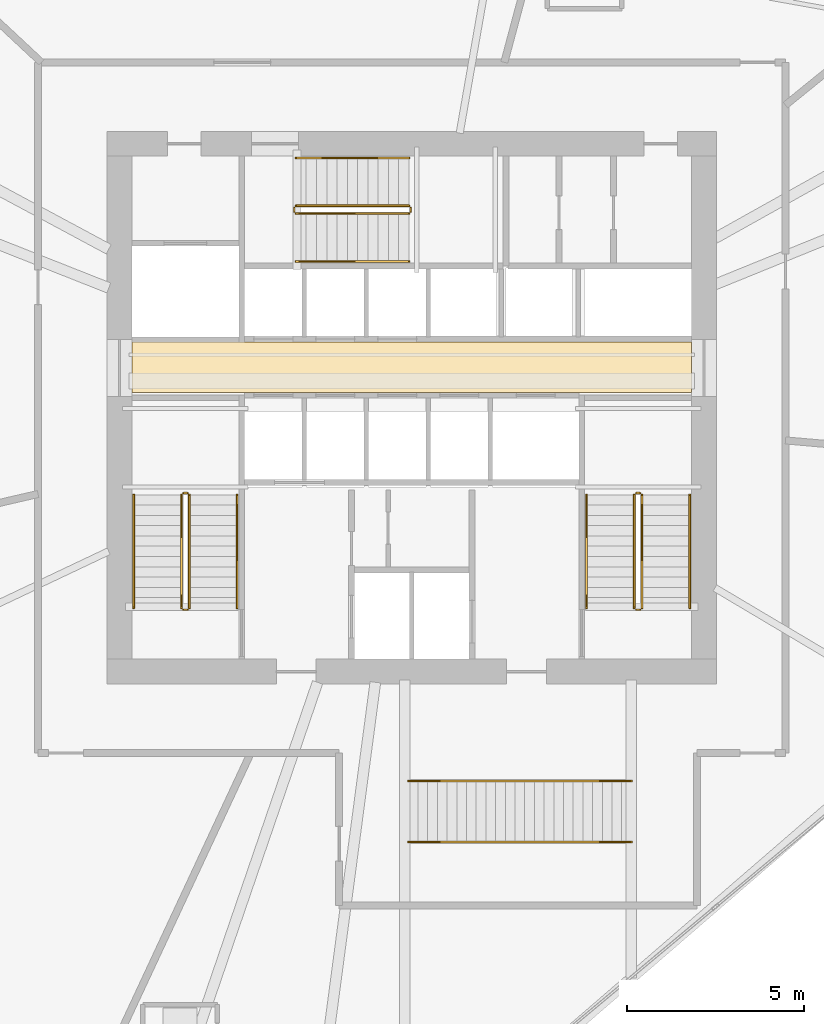
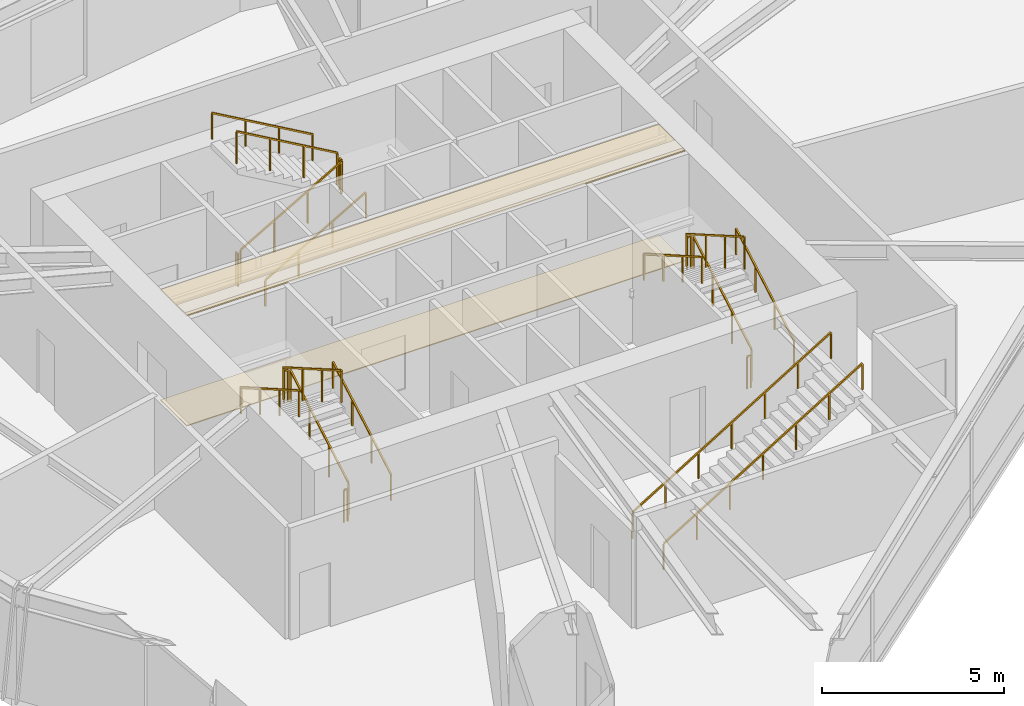
# One storey, part 15 of 16: 20 railings, 2 coverings.
"""IFC4 building model written with IfcOpenShell, lengths in metres."""

from ifc_helpers import new_model, si_unit, direction, frame, origin, origin_2d, place, context, subcontext, project, spatial, polyline, rectangle, outline, extrude, material, layer, layer_set, type_object, element, save


model = new_model("IFC4")

# Units and contexts
model_context = context("Model", 3, precision=1e-05, world=origin(), true_north=direction((0.0, 1.0)))
body_context = subcontext(model_context, "Body", "Model", "MODEL_VIEW")
ifc_project = project(units=[si_unit("LENGTHUNIT", "METRE"), si_unit("AREAUNIT", "SQUARE_METRE"), si_unit("VOLUMEUNIT", "CUBIC_METRE"), si_unit("PLANEANGLEUNIT", "RADIAN"), si_unit("MASSUNIT", "GRAM", prefix="KILO")], contexts=[model_context])

# Site, building, storey
site_placement = place(None, origin())
site = spatial("IfcSite", under=ifc_project, at=site_placement, CompositionType="ELEMENT")
building_placement = place(site_placement, origin())
building = spatial("IfcBuilding", under=site, at=building_placement, Name="Olszyna Solenne Hotel", CompositionType="ELEMENT")
storey_placement = place(building_placement, frame((0.0, 0.0, 134.10009765625)))
storey = spatial("IfcBuildingStorey", under=building, at=storey_placement, Name="L35", CompositionType="ELEMENT", Elevation=134.10009765625)

# Coverings
ifc_material_1 = material(Name="Mineral wool acoustic ceiling")
ifc_layer_1 = layer(ifc_material_1, 0.0400390625, Name="Mineral wool acoustic ceiling")
ifc_layer_set_1 = layer_set([ifc_layer_1], Name="Mineral wool acoustic ceiling")
covering_type_1 = type_object("IfcCoveringType", Name="CL-AC1", PredefinedType="CEILING", material=ifc_layer_set_1)
covering_1_placement = place(storey_placement, frame((0.0, 0.0, 3.68994140625)))
element("IfcCovering", 1, at=covering_1_placement, inside=storey, type_object=covering_type_1, Name="Lift lobby acoustic tile ceiling CL-L35-01", PredefinedType="CEILING", context=body_context, shape_type="SweptSolid", body=[
    extrude(outline(polyline([(30.10009765625, 27.030029296875), (45.89990234375, 27.030029296875), (45.89990234375, 28.4599609375), (30.10009765625, 28.4599609375), (30.10009765625, 27.030029296875)])), origin(), (0.0, 0.0, 1.0), 0.0400390625),
])
ifc_material_2 = material(Name="Ceramic floor tile")
ifc_layer_2 = layer(ifc_material_2, 0.030029296875, Name="Ceramic floor tile")
ifc_layer_set_2 = layer_set([ifc_layer_2], Name="Ceramic floor tile")
covering_type_2 = type_object("IfcCoveringType", Name="FL-TL1", PredefinedType="FLOORING", material=ifc_layer_set_2)
covering_2_placement = place(storey_placement, origin())
element("IfcCovering", 2, at=covering_2_placement, inside=storey, type_object=covering_type_2, Name="Lift lobby stoneware floor finish FLR-L35-01", PredefinedType="FLOORING", context=body_context, shape_type="SweptSolid", body=[
    extrude(outline(polyline([(30.10009765625, 27.030029296875), (45.89990234375, 27.030029296875), (45.89990234375, 28.4599609375), (30.10009765625, 28.4599609375), (30.10009765625, 27.030029296875)])), origin(), (0.0, 0.0, 1.0), 0.02978515625),
])

# Railings
ifc_material_3 = material(Name="Anodised bronze aluminium", Category="aluminium")
railing_type_1 = type_object("IfcRailingType", Name="GR-110", PredefinedType="BALUSTRADE", material=ifc_material_3)
railing_1_placement = place(storey_placement, frame((31.719970703125, 20.949951171875, 0.16650390625)))
element("IfcRailing", 3, at=railing_1_placement, inside=storey, type_object=railing_type_1, Name="L35 ST1 stair guard 1", PredefinedType="BALUSTRADE", context=body_context, shape_type="SweptSolid", body=[
    extrude(rectangle(XDim=0.048095703125, YDim=0.048095703125, at=origin_2d()), frame((0.0, 0.0, 1.076171875), z_axis=(0.0, 0.86699087805, 0.498324008431), x_axis=(-1.0, 0.0, 0.0)), (0.0, 0.0, 1.0), 3.679443359375),
    extrude(rectangle(XDim=0.0419921875, YDim=0.0419921875, at=origin_2d()), origin(), (0.0, 0.0, 1.0), 1.052001953125),
    extrude(rectangle(XDim=0.0419921875, YDim=0.0419921875, at=origin_2d()), frame((0.0, 1.063232421875, 0.611083984375)), (0.0, 0.0, 1.0), 1.052001953125),
    extrude(rectangle(XDim=0.0419921875, YDim=0.0419921875, at=origin_2d()), frame((0.0, 2.126708984375, 1.222412109375)), (0.0, 0.0, 1.0), 1.052001953125),
    extrude(rectangle(XDim=0.0419921875, YDim=0.0419921875, at=origin_2d()), frame((0.0, 3.18994140625, 1.83349609375)), (0.0, 0.0, 1.0), 1.052001953125),
])
railing_2_placement = place(storey_placement, frame((31.669921875, 24.18994140625, 2.0)))
element("IfcRailing", 4, at=railing_2_placement, inside=storey, type_object=railing_type_1, Name="L35 ST1 stair guard 2", PredefinedType="BALUSTRADE", context=body_context, shape_type="SweptSolid", body=[
    extrude(rectangle(XDim=0.048095703125, YDim=0.048095703125, at=origin_2d()), frame((0.0, 0.0, 1.076171875), z_axis=(-1.0, 0.0, 0.0), x_axis=(0.0, -1.0, 0.0)), (0.0, 0.0, 1.0), 0.119873046875),
    extrude(rectangle(XDim=0.0419921875, YDim=0.0419921875, at=origin_2d()), origin(), (0.0, 0.0, 1.0), 1.052001953125),
    extrude(rectangle(XDim=0.0419921875, YDim=0.0419921875, at=origin_2d()), frame((-0.119873046875, 0.0, 0.0)), (0.0, 0.0, 1.0), 1.052001953125),
])
railing_3_placement = place(storey_placement, frame((31.5, 24.139892578125, 2.16650390625)))
element("IfcRailing", 5, at=railing_3_placement, inside=storey, type_object=railing_type_1, Name="L35 ST1 stair guard 3", PredefinedType="BALUSTRADE", context=body_context, shape_type="SweptSolid", body=[
    extrude(rectangle(XDim=0.048095703125, YDim=0.048095703125, at=origin_2d()), frame((0.0, 0.0, 1.076171875), z_axis=(0.0, -0.86699087805, 0.498324008431), x_axis=(1.0, 0.0, 0.0)), (0.0, 0.0, 1.0), 3.679443359375),
    extrude(rectangle(XDim=0.0419921875, YDim=0.0419921875, at=origin_2d()), origin(), (0.0, 0.0, 1.0), 1.052001953125),
    extrude(rectangle(XDim=0.0419921875, YDim=0.0419921875, at=origin_2d()), frame((0.0, -1.063232421875, 0.611083984375)), (0.0, 0.0, 1.0), 1.052001953125),
    extrude(rectangle(XDim=0.0419921875, YDim=0.0419921875, at=origin_2d()), frame((0.0, -2.126708984375, 1.222412109375)), (0.0, 0.0, 1.0), 1.052001953125),
    extrude(rectangle(XDim=0.0419921875, YDim=0.0419921875, at=origin_2d()), frame((0.0, -3.18994140625, 1.83349609375)), (0.0, 0.0, 1.0), 1.052001953125),
])
railing_4_placement = place(storey_placement, frame((31.669921875, 20.89990234375, 0.0)))
element("IfcRailing", 6, at=railing_4_placement, inside=storey, type_object=railing_type_1, Name="L35 ST1 stair guard 4", PredefinedType="BALUSTRADE", context=body_context, shape_type="SweptSolid", body=[
    extrude(rectangle(XDim=0.048095703125, YDim=0.048095703125, at=origin_2d()), frame((0.0, 0.0, 1.076171875), z_axis=(-1.0, 0.0, 0.0), x_axis=(0.0, -1.0, 0.0)), (0.0, 0.0, 1.0), 0.119873046875),
    extrude(rectangle(XDim=0.0419921875, YDim=0.0419921875, at=origin_2d()), origin(), (0.0, 0.0, 1.0), 1.052001953125),
    extrude(rectangle(XDim=0.0419921875, YDim=0.0419921875, at=origin_2d()), frame((-0.119873046875, 0.0, 0.0)), (0.0, 0.0, 1.0), 1.052001953125),
])
railing_5_placement = place(storey_placement, frame((44.5, 20.949951171875, 0.16650390625)))
element("IfcRailing", 7, at=railing_5_placement, inside=storey, type_object=railing_type_1, Name="L35 ST2 stair guard 1", PredefinedType="BALUSTRADE", context=body_context, shape_type="SweptSolid", body=[
    extrude(rectangle(XDim=0.048095703125, YDim=0.048095703125, at=origin_2d()), frame((0.0, 0.0, 1.076171875), z_axis=(0.0, 0.86699087805, 0.498324008431), x_axis=(-1.0, 0.0, 0.0)), (0.0, 0.0, 1.0), 3.679443359375),
    extrude(rectangle(XDim=0.0419921875, YDim=0.0419921875, at=origin_2d()), origin(), (0.0, 0.0, 1.0), 1.052001953125),
    extrude(rectangle(XDim=0.0419921875, YDim=0.0419921875, at=origin_2d()), frame((0.0, 1.063232421875, 0.611083984375)), (0.0, 0.0, 1.0), 1.052001953125),
    extrude(rectangle(XDim=0.0419921875, YDim=0.0419921875, at=origin_2d()), frame((0.0, 2.126708984375, 1.222412109375)), (0.0, 0.0, 1.0), 1.052001953125),
    extrude(rectangle(XDim=0.0419921875, YDim=0.0419921875, at=origin_2d()), frame((0.0, 3.18994140625, 1.83349609375)), (0.0, 0.0, 1.0), 1.052001953125),
])
railing_6_placement = place(storey_placement, frame((44.449951171875, 24.18994140625, 2.0)))
element("IfcRailing", 8, at=railing_6_placement, inside=storey, type_object=railing_type_1, Name="L35 ST2 stair guard 2", PredefinedType="BALUSTRADE", context=body_context, shape_type="SweptSolid", body=[
    extrude(rectangle(XDim=0.048095703125, YDim=0.048095703125, at=origin_2d()), frame((0.0, 0.0, 1.076171875), z_axis=(-1.0, 0.0, 0.0), x_axis=(0.0, -1.0, 0.0)), (0.0, 0.0, 1.0), 0.119873046875),
    extrude(rectangle(XDim=0.0419921875, YDim=0.0419921875, at=origin_2d()), origin(), (0.0, 0.0, 1.0), 1.052001953125),
    extrude(rectangle(XDim=0.0419921875, YDim=0.0419921875, at=origin_2d()), frame((-0.119873046875, 0.0, 0.0)), (0.0, 0.0, 1.0), 1.052001953125),
])
railing_7_placement = place(storey_placement, frame((44.280029296875, 24.139892578125, 2.16650390625)))
element("IfcRailing", 9, at=railing_7_placement, inside=storey, type_object=railing_type_1, Name="L35 ST2 stair guard 3", PredefinedType="BALUSTRADE", context=body_context, shape_type="SweptSolid", body=[
    extrude(rectangle(XDim=0.048095703125, YDim=0.048095703125, at=origin_2d()), frame((0.0, 0.0, 1.076171875), z_axis=(0.0, -0.86699087805, 0.498324008431), x_axis=(1.0, 0.0, 0.0)), (0.0, 0.0, 1.0), 3.679443359375),
    extrude(rectangle(XDim=0.0419921875, YDim=0.0419921875, at=origin_2d()), origin(), (0.0, 0.0, 1.0), 1.052001953125),
    extrude(rectangle(XDim=0.0419921875, YDim=0.0419921875, at=origin_2d()), frame((0.0, -1.063232421875, 0.611083984375)), (0.0, 0.0, 1.0), 1.052001953125),
    extrude(rectangle(XDim=0.0419921875, YDim=0.0419921875, at=origin_2d()), frame((0.0, -2.126708984375, 1.222412109375)), (0.0, 0.0, 1.0), 1.052001953125),
    extrude(rectangle(XDim=0.0419921875, YDim=0.0419921875, at=origin_2d()), frame((0.0, -3.18994140625, 1.83349609375)), (0.0, 0.0, 1.0), 1.052001953125),
])
railing_8_placement = place(storey_placement, frame((44.449951171875, 20.89990234375, 0.0)))
element("IfcRailing", 10, at=railing_8_placement, inside=storey, type_object=railing_type_1, Name="L35 ST2 stair guard 4", PredefinedType="BALUSTRADE", context=body_context, shape_type="SweptSolid", body=[
    extrude(rectangle(XDim=0.048095703125, YDim=0.048095703125, at=origin_2d()), frame((0.0, 0.0, 1.076171875), z_axis=(-1.0, 0.0, 0.0), x_axis=(0.0, -1.0, 0.0)), (0.0, 0.0, 1.0), 0.119873046875),
    extrude(rectangle(XDim=0.0419921875, YDim=0.0419921875, at=origin_2d()), origin(), (0.0, 0.0, 1.0), 1.052001953125),
    extrude(rectangle(XDim=0.0419921875, YDim=0.0419921875, at=origin_2d()), frame((-0.119873046875, 0.0, 0.0)), (0.0, 0.0, 1.0), 1.052001953125),
])
railing_9_placement = place(storey_placement, frame((34.72998046875, 32.080078125, 0.16650390625)))
element("IfcRailing", 11, at=railing_9_placement, inside=storey, type_object=railing_type_1, Name="L35 ST3 stair guard 1", PredefinedType="BALUSTRADE", context=body_context, shape_type="SweptSolid", body=[
    extrude(rectangle(XDim=0.048095703125, YDim=0.048095703125, at=origin_2d()), frame((0.0, 0.0, 1.076171875), z_axis=(0.86699087805, 0.0, 0.498324008431), x_axis=(0.0, 1.0, 0.0)), (0.0, 0.0, 1.0), 3.679443359375),
    extrude(rectangle(XDim=0.0419921875, YDim=0.0419921875, at=origin_2d()), origin(), (0.0, 0.0, 1.0), 1.052001953125),
    extrude(rectangle(XDim=0.0419921875, YDim=0.0419921875, at=origin_2d()), frame((1.063232421875, 0.0, 0.611083984375)), (0.0, 0.0, 1.0), 1.052001953125),
    extrude(rectangle(XDim=0.0419921875, YDim=0.0419921875, at=origin_2d()), frame((2.126708984375, 0.0, 1.222412109375)), (0.0, 0.0, 1.0), 1.052001953125),
    extrude(rectangle(XDim=0.0419921875, YDim=0.0419921875, at=origin_2d()), frame((3.18994140625, 0.0, 1.83349609375)), (0.0, 0.0, 1.0), 1.052001953125),
])
railing_10_placement = place(storey_placement, frame((37.969970703125, 32.1298828125, 2.0)))
element("IfcRailing", 12, at=railing_10_placement, inside=storey, type_object=railing_type_1, Name="L35 ST3 stair guard 2", PredefinedType="BALUSTRADE", context=body_context, shape_type="SweptSolid", body=[
    extrude(rectangle(XDim=0.048095703125, YDim=0.048095703125, at=origin_2d()), frame((0.0, 0.0, 1.076171875), z_axis=(0.0, 1.0, 0.0), x_axis=(-1.0, 0.0, 0.0)), (0.0, 0.0, 1.0), 0.1201171875),
    extrude(rectangle(XDim=0.0419921875, YDim=0.0419921875, at=origin_2d()), origin(), (0.0, 0.0, 1.0), 1.052001953125),
    extrude(rectangle(XDim=0.0419921875, YDim=0.0419921875, at=origin_2d()), frame((0.0, 0.1201171875, 0.0)), (0.0, 0.0, 1.0), 1.052001953125),
])
railing_11_placement = place(storey_placement, frame((37.919921875, 32.300048828125, 2.16650390625)))
element("IfcRailing", 13, at=railing_11_placement, inside=storey, type_object=railing_type_1, Name="L35 ST3 stair guard 3", PredefinedType="BALUSTRADE", context=body_context, shape_type="SweptSolid", body=[
    extrude(rectangle(XDim=0.048095703125, YDim=0.048095703125, at=origin_2d()), frame((0.0, 0.0, 1.076171875), z_axis=(-0.86699087805, 0.0, 0.498324008431), x_axis=(0.0, -1.0, 0.0)), (0.0, 0.0, 1.0), 3.679443359375),
    extrude(rectangle(XDim=0.0419921875, YDim=0.0419921875, at=origin_2d()), origin(), (0.0, 0.0, 1.0), 1.052001953125),
    extrude(rectangle(XDim=0.0419921875, YDim=0.0419921875, at=origin_2d()), frame((-1.063232421875, 0.0, 0.611083984375)), (0.0, 0.0, 1.0), 1.052001953125),
    extrude(rectangle(XDim=0.0419921875, YDim=0.0419921875, at=origin_2d()), frame((-2.126708984375, 0.0, 1.222412109375)), (0.0, 0.0, 1.0), 1.052001953125),
    extrude(rectangle(XDim=0.0419921875, YDim=0.0419921875, at=origin_2d()), frame((-3.18994140625, 0.0, 1.83349609375)), (0.0, 0.0, 1.0), 1.052001953125),
])
railing_12_placement = place(storey_placement, frame((34.679931640625, 32.1298828125, 0.0)))
element("IfcRailing", 14, at=railing_12_placement, inside=storey, type_object=railing_type_1, Name="L35 ST3 stair guard 4", PredefinedType="BALUSTRADE", context=body_context, shape_type="SweptSolid", body=[
    extrude(rectangle(XDim=0.048095703125, YDim=0.048095703125, at=origin_2d()), frame((0.0, 0.0, 1.076171875), z_axis=(0.0, 1.0, 0.0), x_axis=(-1.0, 0.0, 0.0)), (0.0, 0.0, 1.0), 0.1201171875),
    extrude(rectangle(XDim=0.0419921875, YDim=0.0419921875, at=origin_2d()), origin(), (0.0, 0.0, 1.0), 1.052001953125),
    extrude(rectangle(XDim=0.0419921875, YDim=0.0419921875, at=origin_2d()), frame((0.0, 0.1201171875, 0.0)), (0.0, 0.0, 1.0), 1.052001953125),
])
ifc_material_4 = material(Name="Steel S355J2", Category="steel")
railing_type_2 = type_object("IfcRailingType", Name="HR-090", PredefinedType="HANDRAIL", material=ifc_material_4)
railing_13_placement = place(storey_placement, frame((33.070068359375, 20.949951171875, 0.16650390625)))
element("IfcRailing", 15, at=railing_13_placement, inside=storey, type_object=railing_type_2, Name="L35 ST1 stair handrail 1", PredefinedType="HANDRAIL", context=body_context, shape_type="SweptSolid", body=[
    extrude(rectangle(XDim=0.048095703125, YDim=0.048095703125, at=origin_2d()), frame((0.0, 0.0, 0.8759765625), z_axis=(0.0, 0.86699087805, 0.498324008431), x_axis=(-1.0, 0.0, 0.0)), (0.0, 0.0, 1.0), 3.679443359375),
    extrude(rectangle(XDim=0.0419921875, YDim=0.0419921875, at=origin_2d()), origin(), (0.0, 0.0, 1.0), 0.851806640625),
    extrude(rectangle(XDim=0.0419921875, YDim=0.0419921875, at=origin_2d()), frame((0.0, 1.063232421875, 0.611083984375)), (0.0, 0.0, 1.0), 0.851806640625),
    extrude(rectangle(XDim=0.0419921875, YDim=0.0419921875, at=origin_2d()), frame((0.0, 2.126708984375, 1.222412109375)), (0.0, 0.0, 1.0), 0.851806640625),
    extrude(rectangle(XDim=0.0419921875, YDim=0.0419921875, at=origin_2d()), frame((0.0, 3.18994140625, 1.83349609375)), (0.0, 0.0, 1.0), 0.851806640625),
])
railing_14_placement = place(storey_placement, frame((30.14990234375, 24.139892578125, 2.16650390625)))
element("IfcRailing", 16, at=railing_14_placement, inside=storey, type_object=railing_type_2, Name="L35 ST1 stair handrail 2", PredefinedType="HANDRAIL", context=body_context, shape_type="SweptSolid", body=[
    extrude(rectangle(XDim=0.048095703125, YDim=0.048095703125, at=origin_2d()), frame((0.0, 0.0, 0.8759765625), z_axis=(0.0, -0.86699087805, 0.498324008431), x_axis=(1.0, 0.0, 0.0)), (0.0, 0.0, 1.0), 3.679443359375),
    extrude(rectangle(XDim=0.0419921875, YDim=0.0419921875, at=origin_2d()), origin(), (0.0, 0.0, 1.0), 0.851806640625),
    extrude(rectangle(XDim=0.0419921875, YDim=0.0419921875, at=origin_2d()), frame((0.0, -1.063232421875, 0.611083984375)), (0.0, 0.0, 1.0), 0.851806640625),
    extrude(rectangle(XDim=0.0419921875, YDim=0.0419921875, at=origin_2d()), frame((0.0, -2.126708984375, 1.222412109375)), (0.0, 0.0, 1.0), 0.851806640625),
    extrude(rectangle(XDim=0.0419921875, YDim=0.0419921875, at=origin_2d()), frame((0.0, -3.18994140625, 1.83349609375)), (0.0, 0.0, 1.0), 0.851806640625),
])
railing_15_placement = place(storey_placement, frame((45.85009765625, 20.949951171875, 0.16650390625)))
element("IfcRailing", 17, at=railing_15_placement, inside=storey, type_object=railing_type_2, Name="L35 ST2 stair handrail 1", PredefinedType="HANDRAIL", context=body_context, shape_type="SweptSolid", body=[
    extrude(rectangle(XDim=0.048095703125, YDim=0.048095703125, at=origin_2d()), frame((0.0, 0.0, 0.8759765625), z_axis=(0.0, 0.86699087805, 0.498324008431), x_axis=(-1.0, 0.0, 0.0)), (0.0, 0.0, 1.0), 3.679443359375),
    extrude(rectangle(XDim=0.0419921875, YDim=0.0419921875, at=origin_2d()), origin(), (0.0, 0.0, 1.0), 0.851806640625),
    extrude(rectangle(XDim=0.0419921875, YDim=0.0419921875, at=origin_2d()), frame((0.0, 1.063232421875, 0.611083984375)), (0.0, 0.0, 1.0), 0.851806640625),
    extrude(rectangle(XDim=0.0419921875, YDim=0.0419921875, at=origin_2d()), frame((0.0, 2.126708984375, 1.222412109375)), (0.0, 0.0, 1.0), 0.851806640625),
    extrude(rectangle(XDim=0.0419921875, YDim=0.0419921875, at=origin_2d()), frame((0.0, 3.18994140625, 1.83349609375)), (0.0, 0.0, 1.0), 0.851806640625),
])
railing_16_placement = place(storey_placement, frame((42.929931640625, 24.139892578125, 2.16650390625)))
element("IfcRailing", 18, at=railing_16_placement, inside=storey, type_object=railing_type_2, Name="L35 ST2 stair handrail 2", PredefinedType="HANDRAIL", context=body_context, shape_type="SweptSolid", body=[
    extrude(rectangle(XDim=0.048095703125, YDim=0.048095703125, at=origin_2d()), frame((0.0, 0.0, 0.8759765625), z_axis=(0.0, -0.86699087805, 0.498324008431), x_axis=(1.0, 0.0, 0.0)), (0.0, 0.0, 1.0), 3.679443359375),
    extrude(rectangle(XDim=0.0419921875, YDim=0.0419921875, at=origin_2d()), origin(), (0.0, 0.0, 1.0), 0.851806640625),
    extrude(rectangle(XDim=0.0419921875, YDim=0.0419921875, at=origin_2d()), frame((0.0, -1.063232421875, 0.611083984375)), (0.0, 0.0, 1.0), 0.851806640625),
    extrude(rectangle(XDim=0.0419921875, YDim=0.0419921875, at=origin_2d()), frame((0.0, -2.126708984375, 1.222412109375)), (0.0, 0.0, 1.0), 0.851806640625),
    extrude(rectangle(XDim=0.0419921875, YDim=0.0419921875, at=origin_2d()), frame((0.0, -3.18994140625, 1.83349609375)), (0.0, 0.0, 1.0), 0.851806640625),
])
railing_17_placement = place(storey_placement, frame((34.72998046875, 30.72998046875, 0.16650390625)))
element("IfcRailing", 19, at=railing_17_placement, inside=storey, type_object=railing_type_2, Name="L35 ST3 stair handrail 1", PredefinedType="HANDRAIL", context=body_context, shape_type="SweptSolid", body=[
    extrude(rectangle(XDim=0.048095703125, YDim=0.048095703125, at=origin_2d()), frame((0.0, 0.0, 0.8759765625), z_axis=(0.86699087805, 0.0, 0.498324008431), x_axis=(0.0, 1.0, 0.0)), (0.0, 0.0, 1.0), 3.679443359375),
    extrude(rectangle(XDim=0.0419921875, YDim=0.0419921875, at=origin_2d()), origin(), (0.0, 0.0, 1.0), 0.851806640625),
    extrude(rectangle(XDim=0.0419921875, YDim=0.0419921875, at=origin_2d()), frame((1.063232421875, 0.0, 0.611083984375)), (0.0, 0.0, 1.0), 0.851806640625),
    extrude(rectangle(XDim=0.0419921875, YDim=0.0419921875, at=origin_2d()), frame((2.126708984375, 0.0, 1.222412109375)), (0.0, 0.0, 1.0), 0.851806640625),
    extrude(rectangle(XDim=0.0419921875, YDim=0.0419921875, at=origin_2d()), frame((3.18994140625, 0.0, 1.83349609375)), (0.0, 0.0, 1.0), 0.851806640625),
])
railing_18_placement = place(storey_placement, frame((37.919921875, 33.64990234375, 2.16650390625)))
element("IfcRailing", 20, at=railing_18_placement, inside=storey, type_object=railing_type_2, Name="L35 ST3 stair handrail 2", PredefinedType="HANDRAIL", context=body_context, shape_type="SweptSolid", body=[
    extrude(rectangle(XDim=0.048095703125, YDim=0.048095703125, at=origin_2d()), frame((0.0, 0.0, 0.8759765625), z_axis=(-0.86699087805, 0.0, 0.498324008431), x_axis=(0.0, -1.0, 0.0)), (0.0, 0.0, 1.0), 3.679443359375),
    extrude(rectangle(XDim=0.0419921875, YDim=0.0419921875, at=origin_2d()), origin(), (0.0, 0.0, 1.0), 0.851806640625),
    extrude(rectangle(XDim=0.0419921875, YDim=0.0419921875, at=origin_2d()), frame((-1.063232421875, 0.0, 0.611083984375)), (0.0, 0.0, 1.0), 0.851806640625),
    extrude(rectangle(XDim=0.0419921875, YDim=0.0419921875, at=origin_2d()), frame((-2.126708984375, 0.0, 1.222412109375)), (0.0, 0.0, 1.0), 0.851806640625),
    extrude(rectangle(XDim=0.0419921875, YDim=0.0419921875, at=origin_2d()), frame((-3.18994140625, 0.0, 1.83349609375)), (0.0, 0.0, 1.0), 0.851806640625),
])
for number, where, name in (
    (21, (37.900390625, 14.340087890625, 0.16650390625), "Feature stair handrail HR-FS-03-S"),
    (22, (37.900390625, 16.06005859375, 0.16650390625), "Feature stair handrail HR-FS-03-N"),
):
    element("IfcRailing", number, at=place(storey_placement, frame(where)), inside=storey, type_object=railing_type_2, Name=name, PredefinedType="HANDRAIL", context=body_context, shape_type="SweptSolid", body=[
        extrude(rectangle(XDim=0.048095703125, YDim=0.048095703125, at=origin_2d()), frame((0.0, 0.0, 0.8759765625), z_axis=(0.854259923192, 0.0, 0.519846115334), x_axis=(0.0, 1.0, 0.0)), (0.0, 0.0, 1.0), 7.374267578125),
        extrude(rectangle(XDim=0.0419921875, YDim=0.0419921875, at=origin_2d()), origin(), (0.0, 0.0, 1.0), 0.851806640625),
        extrude(rectangle(XDim=0.0419921875, YDim=0.0419921875, at=origin_2d()), frame((1.0498046875, 0.0, 0.638916015625)), (0.0, 0.0, 1.0), 0.851806640625),
        extrude(rectangle(XDim=0.0419921875, YDim=0.0419921875, at=origin_2d()), frame((2.099853515625, 0.0, 1.27783203125)), (0.0, 0.0, 1.0), 0.851806640625),
        extrude(rectangle(XDim=0.0419921875, YDim=0.0419921875, at=origin_2d()), frame((3.14990234375, 0.0, 1.916748046875)), (0.0, 0.0, 1.0), 0.851806640625),
        extrude(rectangle(XDim=0.0419921875, YDim=0.0419921875, at=origin_2d()), frame((4.19970703125, 0.0, 2.5556640625)), (0.0, 0.0, 1.0), 0.851806640625),
        extrude(rectangle(XDim=0.0419921875, YDim=0.0419921875, at=origin_2d()), frame((5.24951171875, 0.0, 3.194580078125)), (0.0, 0.0, 1.0), 0.851806640625),
        extrude(rectangle(XDim=0.0419921875, YDim=0.0419921875, at=origin_2d()), frame((6.299560546875, 0.0, 3.83349609375)), (0.0, 0.0, 1.0), 0.851806640625),
    ])

save(model, "model.ifc")
